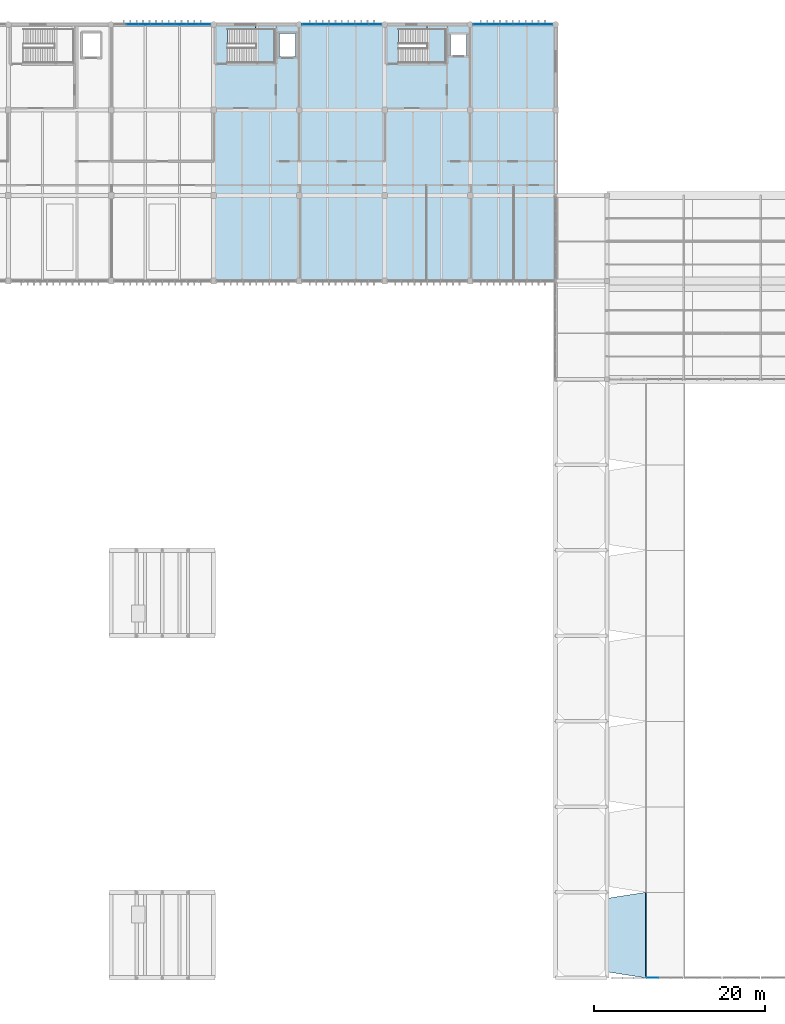
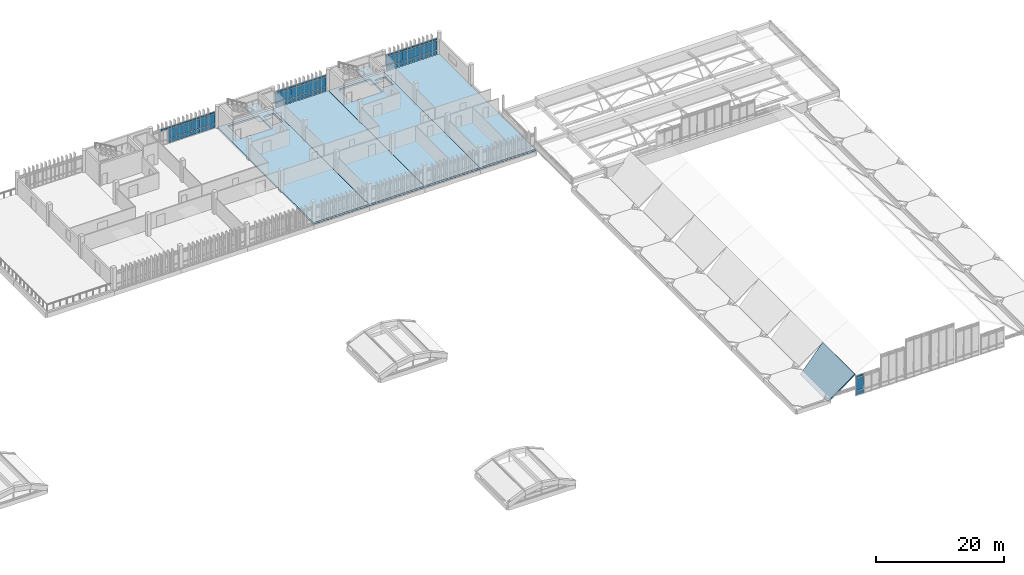
# One storey, part 70 of 82: 58 plates, 7 slabs, 6 elements without a shape of their own.
"""IFC4 building model written with IfcOpenShell, lengths in metres."""

from ifc_helpers import new_model, si_unit, direction, frame, origin, origin_2d, place, context, subcontext, project, spatial, polyline, rectangle, outline, extrude, material, layer, layer_set, type_object, element, aggregate, save


model = new_model("IFC4")

# Units and contexts
model_context = context("Model", 3, precision=1e-05, world=origin(), true_north=direction((0.0, 1.0)))
body_context = subcontext(model_context, "Body", "Model", "MODEL_VIEW")
ifc_project = project(units=[si_unit("LENGTHUNIT", "METRE"), si_unit("AREAUNIT", "SQUARE_METRE"), si_unit("VOLUMEUNIT", "CUBIC_METRE"), si_unit("PLANEANGLEUNIT", "RADIAN"), si_unit("MASSUNIT", "GRAM", prefix="KILO")], contexts=[model_context])

# Site, building, storey
site_placement = place(None, origin())
site = spatial("IfcSite", under=ifc_project, at=site_placement, CompositionType="ELEMENT")
building_placement = place(site_placement, origin())
building = spatial("IfcBuilding", under=site, at=building_placement, Name="Mersad Railyard Sports Hall", CompositionType="ELEMENT")
storey_placement = place(building_placement, frame((0.0, 0.0, 13.199951171875)))
storey = spatial("IfcBuildingStorey", under=building, at=storey_placement, Name="L03", CompositionType="ELEMENT", Elevation=13.199951171875)

# Curtain wall, plates
ifc_material_1 = material(Name="Aluminium 6063-T6", Category="aluminium")
ifc_layer_1 = layer(ifc_material_1, 0.199951171875)
ifc_layer_set_1 = layer_set([ifc_layer_1], Name="Aluminium 6063-T6")
curtain_wall_type_1 = type_object("IfcCurtainWallType", Name="ARC-CW-CW42", PredefinedType="USERDEFINED", material=ifc_layer_set_1)
curtain_wall_1_placement = place(storey_placement, origin())
curtain_wall_1 = element("IfcCurtainWall", 1, at=curtain_wall_1_placement, inside=storey, type_object=curtain_wall_type_1, Name="Curtain wall CW42-0114", ObjectType="CURTAIN WALL", PredefinedType="USERDEFINED")
ifc_material_2 = material(Name="Solar-control glass", Category="glass")
ifc_layer_2 = layer(ifc_material_2, 0.028076171875)
ifc_layer_set_2 = layer_set([ifc_layer_2], Name="Solar-control glass")
plate_type = type_object("IfcPlateType", Name="ARC-CW-PNL01", PredefinedType="CURTAIN_PANEL", material=ifc_layer_set_2)
plate_1_placement = place(storey_placement, frame((142.35009765625, 3.5, -1.1650390625), z_axis=(0.0, 0.0, 1.0), x_axis=(-1.0, 0.0, 0.0)))
plate_1 = element("IfcPlate", 2, at=plate_1_placement, type_object=plate_type, Name="CW42 Glazed panel 3-1", PredefinedType="CURTAIN_PANEL", context=body_context, shape_type="SweptSolid", body=[
    extrude(rectangle(XDim=1.35595703125, YDim=0.028076171875, at=origin_2d()), origin(), (0.0, 0.0, 1.0), 0.719970703125),
])
plate_2_placement = place(storey_placement, frame((142.35009765625, 3.5, -0.35498046875), z_axis=(0.0, 0.0, 1.0), x_axis=(-1.0, 0.0, 0.0)))
plate_2 = element("IfcPlate", 3, at=plate_2_placement, type_object=plate_type, Name="CW42 Glazed panel 3-2", PredefinedType="CURTAIN_PANEL", context=body_context, shape_type="SweptSolid", body=[
    extrude(rectangle(XDim=1.35595703125, YDim=0.028076171875, at=origin_2d()), origin(), (0.0, 0.0, 1.0), 2.39208984375),
])
plate_3_placement = place(storey_placement, frame((142.35009765625, 3.5, 2.126953125), z_axis=(0.0, 0.0, 1.0), x_axis=(-1.0, 0.0, 0.0)))
plate_3 = element("IfcPlate", 4, at=plate_3_placement, type_object=plate_type, Name="CW42 Glazed panel 3-3", PredefinedType="CURTAIN_PANEL", context=body_context, shape_type="SweptSolid", body=[
    extrude(rectangle(XDim=1.35595703125, YDim=0.028076171875, at=origin_2d()), origin(), (0.0, 0.0, 1.0), 0.35009765625),
])
aggregate(curtain_wall_1, [plate_1, plate_2, plate_3])

ifc_layer_3 = layer(ifc_material_1, 0.159912109375)
ifc_layer_set_3 = layer_set([ifc_layer_3], Name="Aluminium 6063-T6")
curtain_wall_type_2 = type_object("IfcCurtainWallType", Name="ARC-CW-CW57", PredefinedType="USERDEFINED", material=ifc_layer_set_3)
curtain_wall_2_placement = place(storey_placement, origin())
curtain_wall_2 = element("IfcCurtainWall", 5, at=curtain_wall_2_placement, inside=storey, type_object=curtain_wall_type_2, Name="Curtain wall CW57-0152", ObjectType="CURTAIN WALL", PredefinedType="USERDEFINED")
plate_4_placement = place(storey_placement, frame((81.481201171875, 115.0, 2.77490234375), z_axis=(0.0, 0.0, 1.0), x_axis=(1.0, 0.0, 0.0)))
plate_4 = element("IfcPlate", 6, at=plate_4_placement, type_object=plate_type, Name="CW57 Glazed panel 2-3", PredefinedType="CURTAIN_PANEL", context=body_context, shape_type="SweptSolid", body=[
    extrude(rectangle(XDim=1.363525390625, YDim=0.028076171875, at=origin_2d()), origin(), (0.0, 0.0, 1.0), 0.35009765625),
])
plate_5_placement = place(storey_placement, frame((82.888671875, 115.0, 0.0849609375), z_axis=(0.0, 0.0, 1.0), x_axis=(1.0, 0.0, 0.0)))
plate_5 = element("IfcPlate", 7, at=plate_5_placement, type_object=plate_type, Name="CW57 Glazed panel 3-1", PredefinedType="CURTAIN_PANEL", context=body_context, shape_type="SweptSolid", body=[
    extrude(rectangle(XDim=1.363525390625, YDim=0.028076171875, at=origin_2d()), origin(), (0.0, 0.0, 1.0), 0.719970703125),
])
plate_6_placement = place(storey_placement, frame((82.888671875, 115.0, 0.89501953125), z_axis=(0.0, 0.0, 1.0), x_axis=(1.0, 0.0, 0.0)))
plate_6 = element("IfcPlate", 8, at=plate_6_placement, type_object=plate_type, Name="CW57 Glazed panel 3-2", PredefinedType="CURTAIN_PANEL", context=body_context, shape_type="SweptSolid", body=[
    extrude(rectangle(XDim=1.363525390625, YDim=0.028076171875, at=origin_2d()), origin(), (0.0, 0.0, 1.0), 1.7900390625),
])
plate_7_placement = place(storey_placement, frame((82.888671875, 115.0, 2.77490234375), z_axis=(0.0, 0.0, 1.0), x_axis=(1.0, 0.0, 0.0)))
plate_7 = element("IfcPlate", 9, at=plate_7_placement, type_object=plate_type, Name="CW57 Glazed panel 3-3", PredefinedType="CURTAIN_PANEL", context=body_context, shape_type="SweptSolid", body=[
    extrude(rectangle(XDim=1.363525390625, YDim=0.028076171875, at=origin_2d()), origin(), (0.0, 0.0, 1.0), 0.35009765625),
])
plate_8_placement = place(storey_placement, frame((84.296142578125, 115.0, 0.0849609375), z_axis=(0.0, 0.0, 1.0), x_axis=(1.0, 0.0, 0.0)))
plate_8 = element("IfcPlate", 10, at=plate_8_placement, type_object=plate_type, Name="CW57 Glazed panel 4-1", PredefinedType="CURTAIN_PANEL", context=body_context, shape_type="SweptSolid", body=[
    extrude(rectangle(XDim=1.363525390625, YDim=0.028076171875, at=origin_2d()), origin(), (0.0, 0.0, 1.0), 0.719970703125),
])
plate_9_placement = place(storey_placement, frame((84.296142578125, 115.0, 0.89501953125), z_axis=(0.0, 0.0, 1.0), x_axis=(1.0, 0.0, 0.0)))
plate_9 = element("IfcPlate", 11, at=plate_9_placement, type_object=plate_type, Name="CW57 Glazed panel 4-2", PredefinedType="CURTAIN_PANEL", context=body_context, shape_type="SweptSolid", body=[
    extrude(rectangle(XDim=1.363525390625, YDim=0.028076171875, at=origin_2d()), origin(), (0.0, 0.0, 1.0), 1.7900390625),
])
plate_10_placement = place(storey_placement, frame((84.296142578125, 115.0, 2.77490234375), z_axis=(0.0, 0.0, 1.0), x_axis=(1.0, 0.0, 0.0)))
plate_10 = element("IfcPlate", 12, at=plate_10_placement, type_object=plate_type, Name="CW57 Glazed panel 4-3", PredefinedType="CURTAIN_PANEL", context=body_context, shape_type="SweptSolid", body=[
    extrude(rectangle(XDim=1.363525390625, YDim=0.028076171875, at=origin_2d()), origin(), (0.0, 0.0, 1.0), 0.35009765625),
])
plate_11_placement = place(storey_placement, frame((85.703857421875, 115.0, 0.0849609375), z_axis=(0.0, 0.0, 1.0), x_axis=(1.0, 0.0, 0.0)))
plate_11 = element("IfcPlate", 13, at=plate_11_placement, type_object=plate_type, Name="CW57 Glazed panel 5-1", PredefinedType="CURTAIN_PANEL", context=body_context, shape_type="SweptSolid", body=[
    extrude(rectangle(XDim=1.363525390625, YDim=0.028076171875, at=origin_2d()), origin(), (0.0, 0.0, 1.0), 0.719970703125),
])
plate_12_placement = place(storey_placement, frame((85.703857421875, 115.0, 0.89501953125), z_axis=(0.0, 0.0, 1.0), x_axis=(1.0, 0.0, 0.0)))
plate_12 = element("IfcPlate", 14, at=plate_12_placement, type_object=plate_type, Name="CW57 Glazed panel 5-2", PredefinedType="CURTAIN_PANEL", context=body_context, shape_type="SweptSolid", body=[
    extrude(rectangle(XDim=1.363525390625, YDim=0.028076171875, at=origin_2d()), origin(), (0.0, 0.0, 1.0), 1.7900390625),
])
plate_13_placement = place(storey_placement, frame((85.703857421875, 115.0, 2.77490234375), z_axis=(0.0, 0.0, 1.0), x_axis=(1.0, 0.0, 0.0)))
plate_13 = element("IfcPlate", 15, at=plate_13_placement, type_object=plate_type, Name="CW57 Glazed panel 5-3", PredefinedType="CURTAIN_PANEL", context=body_context, shape_type="SweptSolid", body=[
    extrude(rectangle(XDim=1.363525390625, YDim=0.028076171875, at=origin_2d()), origin(), (0.0, 0.0, 1.0), 0.35009765625),
])
plate_14_placement = place(storey_placement, frame((87.111328125, 115.0, 0.0849609375), z_axis=(0.0, 0.0, 1.0), x_axis=(1.0, 0.0, 0.0)))
plate_14 = element("IfcPlate", 16, at=plate_14_placement, type_object=plate_type, Name="CW57 Glazed panel 6-1", PredefinedType="CURTAIN_PANEL", context=body_context, shape_type="SweptSolid", body=[
    extrude(rectangle(XDim=1.363525390625, YDim=0.028076171875, at=origin_2d()), origin(), (0.0, 0.0, 1.0), 0.719970703125),
])
plate_15_placement = place(storey_placement, frame((87.111328125, 115.0, 0.89501953125), z_axis=(0.0, 0.0, 1.0), x_axis=(1.0, 0.0, 0.0)))
plate_15 = element("IfcPlate", 17, at=plate_15_placement, type_object=plate_type, Name="CW57 Glazed panel 6-2", PredefinedType="CURTAIN_PANEL", context=body_context, shape_type="SweptSolid", body=[
    extrude(rectangle(XDim=1.363525390625, YDim=0.028076171875, at=origin_2d()), origin(), (0.0, 0.0, 1.0), 1.7900390625),
])
plate_16_placement = place(storey_placement, frame((87.111328125, 115.0, 2.77490234375), z_axis=(0.0, 0.0, 1.0), x_axis=(1.0, 0.0, 0.0)))
plate_16 = element("IfcPlate", 18, at=plate_16_placement, type_object=plate_type, Name="CW57 Glazed panel 6-3", PredefinedType="CURTAIN_PANEL", context=body_context, shape_type="SweptSolid", body=[
    extrude(rectangle(XDim=1.363525390625, YDim=0.028076171875, at=origin_2d()), origin(), (0.0, 0.0, 1.0), 0.35009765625),
])
plate_17_placement = place(storey_placement, frame((88.518798828125, 115.0, 0.0849609375), z_axis=(0.0, 0.0, 1.0), x_axis=(1.0, 0.0, 0.0)))
plate_17 = element("IfcPlate", 19, at=plate_17_placement, type_object=plate_type, Name="CW57 Glazed panel 7-1", PredefinedType="CURTAIN_PANEL", context=body_context, shape_type="SweptSolid", body=[
    extrude(rectangle(XDim=1.363525390625, YDim=0.028076171875, at=origin_2d()), origin(), (0.0, 0.0, 1.0), 0.719970703125),
])
plate_18_placement = place(storey_placement, frame((88.518798828125, 115.0, 0.89501953125), z_axis=(0.0, 0.0, 1.0), x_axis=(1.0, 0.0, 0.0)))
plate_18 = element("IfcPlate", 20, at=plate_18_placement, type_object=plate_type, Name="CW57 Glazed panel 7-2", PredefinedType="CURTAIN_PANEL", context=body_context, shape_type="SweptSolid", body=[
    extrude(rectangle(XDim=1.363525390625, YDim=0.028076171875, at=origin_2d()), origin(), (0.0, 0.0, 1.0), 1.7900390625),
])
plate_19_placement = place(storey_placement, frame((88.518798828125, 115.0, 2.77490234375), z_axis=(0.0, 0.0, 1.0), x_axis=(1.0, 0.0, 0.0)))
plate_19 = element("IfcPlate", 21, at=plate_19_placement, type_object=plate_type, Name="CW57 Glazed panel 7-3", PredefinedType="CURTAIN_PANEL", context=body_context, shape_type="SweptSolid", body=[
    extrude(rectangle(XDim=1.363525390625, YDim=0.028076171875, at=origin_2d()), origin(), (0.0, 0.0, 1.0), 0.35009765625),
])
plate_20_placement = place(storey_placement, frame((89.92626953125, 115.0, 0.0849609375), z_axis=(0.0, 0.0, 1.0), x_axis=(1.0, 0.0, 0.0)))
plate_20 = element("IfcPlate", 22, at=plate_20_placement, type_object=plate_type, Name="CW57 Glazed panel 8-1", PredefinedType="CURTAIN_PANEL", context=body_context, shape_type="SweptSolid", body=[
    extrude(rectangle(XDim=1.363525390625, YDim=0.028076171875, at=origin_2d()), origin(), (0.0, 0.0, 1.0), 0.719970703125),
])
plate_21_placement = place(storey_placement, frame((89.92626953125, 115.0, 0.89501953125), z_axis=(0.0, 0.0, 1.0), x_axis=(1.0, 0.0, 0.0)))
plate_21 = element("IfcPlate", 23, at=plate_21_placement, type_object=plate_type, Name="CW57 Glazed panel 8-2", PredefinedType="CURTAIN_PANEL", context=body_context, shape_type="SweptSolid", body=[
    extrude(rectangle(XDim=1.363525390625, YDim=0.028076171875, at=origin_2d()), origin(), (0.0, 0.0, 1.0), 1.7900390625),
])
plate_22_placement = place(storey_placement, frame((89.92626953125, 115.0, 2.77490234375), z_axis=(0.0, 0.0, 1.0), x_axis=(1.0, 0.0, 0.0)))
plate_22 = element("IfcPlate", 24, at=plate_22_placement, type_object=plate_type, Name="CW57 Glazed panel 8-3", PredefinedType="CURTAIN_PANEL", context=body_context, shape_type="SweptSolid", body=[
    extrude(rectangle(XDim=1.363525390625, YDim=0.028076171875, at=origin_2d()), origin(), (0.0, 0.0, 1.0), 0.35009765625),
])
aggregate(curtain_wall_2, [plate_4, plate_5, plate_6, plate_7, plate_8, plate_9, plate_10, plate_11, plate_12, plate_13, plate_14, plate_15, plate_16, plate_17, plate_18, plate_19, plate_20, plate_21, plate_22])

ifc_layer_4 = layer(ifc_material_1, 0.159912109375)
ifc_layer_set_4 = layer_set([ifc_layer_4], Name="Aluminium 6063-T6")
curtain_wall_type_3 = type_object("IfcCurtainWallType", Name="ARC-CW-CW58", PredefinedType="USERDEFINED", material=ifc_layer_set_4)
curtain_wall_3_placement = place(storey_placement, origin())
curtain_wall_3 = element("IfcCurtainWall", 25, at=curtain_wall_3_placement, inside=storey, type_object=curtain_wall_type_3, Name="Curtain wall CW58-0153", ObjectType="CURTAIN WALL", PredefinedType="USERDEFINED")
plate_23_placement = place(storey_placement, frame((102.1416015625, 115.0, 0.0849609375), z_axis=(0.0, 0.0, 1.0), x_axis=(1.0, 0.0, 0.0)))
plate_23 = element("IfcPlate", 26, at=plate_23_placement, type_object=plate_type, Name="CW58 Glazed panel 1-1", PredefinedType="CURTAIN_PANEL", context=body_context, shape_type="SweptSolid", body=[
    extrude(rectangle(XDim=1.499267578125, YDim=0.028076171875, at=origin_2d()), origin(), (0.0, 0.0, 1.0), 0.719970703125),
])
plate_24_placement = place(storey_placement, frame((102.1416015625, 115.0, 0.89501953125), z_axis=(0.0, 0.0, 1.0), x_axis=(1.0, 0.0, 0.0)))
plate_24 = element("IfcPlate", 27, at=plate_24_placement, type_object=plate_type, Name="CW58 Glazed panel 1-2", PredefinedType="CURTAIN_PANEL", context=body_context, shape_type="SweptSolid", body=[
    extrude(rectangle(XDim=1.499267578125, YDim=0.028076171875, at=origin_2d()), origin(), (0.0, 0.0, 1.0), 1.7900390625),
])
plate_25_placement = place(storey_placement, frame((102.1416015625, 115.0, 2.77490234375), z_axis=(0.0, 0.0, 1.0), x_axis=(1.0, 0.0, 0.0)))
plate_25 = element("IfcPlate", 28, at=plate_25_placement, type_object=plate_type, Name="CW58 Glazed panel 1-3", PredefinedType="CURTAIN_PANEL", context=body_context, shape_type="SweptSolid", body=[
    extrude(rectangle(XDim=1.499267578125, YDim=0.028076171875, at=origin_2d()), origin(), (0.0, 0.0, 1.0), 0.35009765625),
])
plate_26_placement = place(storey_placement, frame((103.68505859375, 115.0, 0.0849609375), z_axis=(0.0, 0.0, 1.0), x_axis=(1.0, 0.0, 0.0)))
plate_26 = element("IfcPlate", 29, at=plate_26_placement, type_object=plate_type, Name="CW58 Glazed panel 2-1", PredefinedType="CURTAIN_PANEL", context=body_context, shape_type="SweptSolid", body=[
    extrude(rectangle(XDim=1.499267578125, YDim=0.028076171875, at=origin_2d()), origin(), (0.0, 0.0, 1.0), 0.719970703125),
])
plate_27_placement = place(storey_placement, frame((103.68505859375, 115.0, 0.89501953125), z_axis=(0.0, 0.0, 1.0), x_axis=(1.0, 0.0, 0.0)))
plate_27 = element("IfcPlate", 30, at=plate_27_placement, type_object=plate_type, Name="CW58 Glazed panel 2-2", PredefinedType="CURTAIN_PANEL", context=body_context, shape_type="SweptSolid", body=[
    extrude(rectangle(XDim=1.499267578125, YDim=0.028076171875, at=origin_2d()), origin(), (0.0, 0.0, 1.0), 1.7900390625),
])
plate_28_placement = place(storey_placement, frame((103.68505859375, 115.0, 2.77490234375), z_axis=(0.0, 0.0, 1.0), x_axis=(1.0, 0.0, 0.0)))
plate_28 = element("IfcPlate", 31, at=plate_28_placement, type_object=plate_type, Name="CW58 Glazed panel 2-3", PredefinedType="CURTAIN_PANEL", context=body_context, shape_type="SweptSolid", body=[
    extrude(rectangle(XDim=1.499267578125, YDim=0.028076171875, at=origin_2d()), origin(), (0.0, 0.0, 1.0), 0.35009765625),
])
plate_29_placement = place(storey_placement, frame((105.228271484375, 115.0, 0.0849609375), z_axis=(0.0, 0.0, 1.0), x_axis=(1.0, 0.0, 0.0)))
plate_29 = element("IfcPlate", 32, at=plate_29_placement, type_object=plate_type, Name="CW58 Glazed panel 3-1", PredefinedType="CURTAIN_PANEL", context=body_context, shape_type="SweptSolid", body=[
    extrude(rectangle(XDim=1.499267578125, YDim=0.028076171875, at=origin_2d()), origin(), (0.0, 0.0, 1.0), 0.719970703125),
])
plate_30_placement = place(storey_placement, frame((105.228271484375, 115.0, 0.89501953125), z_axis=(0.0, 0.0, 1.0), x_axis=(1.0, 0.0, 0.0)))
plate_30 = element("IfcPlate", 33, at=plate_30_placement, type_object=plate_type, Name="CW58 Glazed panel 3-2", PredefinedType="CURTAIN_PANEL", context=body_context, shape_type="SweptSolid", body=[
    extrude(rectangle(XDim=1.499267578125, YDim=0.028076171875, at=origin_2d()), origin(), (0.0, 0.0, 1.0), 1.7900390625),
])
plate_31_placement = place(storey_placement, frame((105.228271484375, 115.0, 2.77490234375), z_axis=(0.0, 0.0, 1.0), x_axis=(1.0, 0.0, 0.0)))
plate_31 = element("IfcPlate", 34, at=plate_31_placement, type_object=plate_type, Name="CW58 Glazed panel 3-3", PredefinedType="CURTAIN_PANEL", context=body_context, shape_type="SweptSolid", body=[
    extrude(rectangle(XDim=1.499267578125, YDim=0.028076171875, at=origin_2d()), origin(), (0.0, 0.0, 1.0), 0.35009765625),
])
plate_32_placement = place(storey_placement, frame((106.771728515625, 115.0, 0.0849609375), z_axis=(0.0, 0.0, 1.0), x_axis=(1.0, 0.0, 0.0)))
plate_32 = element("IfcPlate", 35, at=plate_32_placement, type_object=plate_type, Name="CW58 Glazed panel 4-1", PredefinedType="CURTAIN_PANEL", context=body_context, shape_type="SweptSolid", body=[
    extrude(rectangle(XDim=1.499267578125, YDim=0.028076171875, at=origin_2d()), origin(), (0.0, 0.0, 1.0), 0.719970703125),
])
plate_33_placement = place(storey_placement, frame((106.771728515625, 115.0, 0.89501953125), z_axis=(0.0, 0.0, 1.0), x_axis=(1.0, 0.0, 0.0)))
plate_33 = element("IfcPlate", 36, at=plate_33_placement, type_object=plate_type, Name="CW58 Glazed panel 4-2", PredefinedType="CURTAIN_PANEL", context=body_context, shape_type="SweptSolid", body=[
    extrude(rectangle(XDim=1.499267578125, YDim=0.028076171875, at=origin_2d()), origin(), (0.0, 0.0, 1.0), 1.7900390625),
])
plate_34_placement = place(storey_placement, frame((106.771728515625, 115.0, 2.77490234375), z_axis=(0.0, 0.0, 1.0), x_axis=(1.0, 0.0, 0.0)))
plate_34 = element("IfcPlate", 37, at=plate_34_placement, type_object=plate_type, Name="CW58 Glazed panel 4-3", PredefinedType="CURTAIN_PANEL", context=body_context, shape_type="SweptSolid", body=[
    extrude(rectangle(XDim=1.499267578125, YDim=0.028076171875, at=origin_2d()), origin(), (0.0, 0.0, 1.0), 0.35009765625),
])
plate_35_placement = place(storey_placement, frame((108.31494140625, 115.0, 0.0849609375), z_axis=(0.0, 0.0, 1.0), x_axis=(1.0, 0.0, 0.0)))
plate_35 = element("IfcPlate", 38, at=plate_35_placement, type_object=plate_type, Name="CW58 Glazed panel 5-1", PredefinedType="CURTAIN_PANEL", context=body_context, shape_type="SweptSolid", body=[
    extrude(rectangle(XDim=1.499267578125, YDim=0.028076171875, at=origin_2d()), origin(), (0.0, 0.0, 1.0), 0.719970703125),
])
plate_36_placement = place(storey_placement, frame((108.31494140625, 115.0, 0.89501953125), z_axis=(0.0, 0.0, 1.0), x_axis=(1.0, 0.0, 0.0)))
plate_36 = element("IfcPlate", 39, at=plate_36_placement, type_object=plate_type, Name="CW58 Glazed panel 5-2", PredefinedType="CURTAIN_PANEL", context=body_context, shape_type="SweptSolid", body=[
    extrude(rectangle(XDim=1.499267578125, YDim=0.028076171875, at=origin_2d()), origin(), (0.0, 0.0, 1.0), 1.7900390625),
])
plate_37_placement = place(storey_placement, frame((108.31494140625, 115.0, 2.77490234375), z_axis=(0.0, 0.0, 1.0), x_axis=(1.0, 0.0, 0.0)))
plate_37 = element("IfcPlate", 40, at=plate_37_placement, type_object=plate_type, Name="CW58 Glazed panel 5-3", PredefinedType="CURTAIN_PANEL", context=body_context, shape_type="SweptSolid", body=[
    extrude(rectangle(XDim=1.499267578125, YDim=0.028076171875, at=origin_2d()), origin(), (0.0, 0.0, 1.0), 0.35009765625),
])
plate_38_placement = place(storey_placement, frame((109.8583984375, 115.0, 0.0849609375), z_axis=(0.0, 0.0, 1.0), x_axis=(1.0, 0.0, 0.0)))
plate_38 = element("IfcPlate", 41, at=plate_38_placement, type_object=plate_type, Name="CW58 Glazed panel 6-1", PredefinedType="CURTAIN_PANEL", context=body_context, shape_type="SweptSolid", body=[
    extrude(rectangle(XDim=1.499267578125, YDim=0.028076171875, at=origin_2d()), origin(), (0.0, 0.0, 1.0), 0.719970703125),
])
plate_39_placement = place(storey_placement, frame((109.8583984375, 115.0, 0.89501953125), z_axis=(0.0, 0.0, 1.0), x_axis=(1.0, 0.0, 0.0)))
plate_39 = element("IfcPlate", 42, at=plate_39_placement, type_object=plate_type, Name="CW58 Glazed panel 6-2", PredefinedType="CURTAIN_PANEL", context=body_context, shape_type="SweptSolid", body=[
    extrude(rectangle(XDim=1.499267578125, YDim=0.028076171875, at=origin_2d()), origin(), (0.0, 0.0, 1.0), 1.7900390625),
])
plate_40_placement = place(storey_placement, frame((109.8583984375, 115.0, 2.77490234375), z_axis=(0.0, 0.0, 1.0), x_axis=(1.0, 0.0, 0.0)))
plate_40 = element("IfcPlate", 43, at=plate_40_placement, type_object=plate_type, Name="CW58 Glazed panel 6-3", PredefinedType="CURTAIN_PANEL", context=body_context, shape_type="SweptSolid", body=[
    extrude(rectangle(XDim=1.499267578125, YDim=0.028076171875, at=origin_2d()), origin(), (0.0, 0.0, 1.0), 0.35009765625),
])
aggregate(curtain_wall_3, [plate_23, plate_24, plate_25, plate_26, plate_27, plate_28, plate_29, plate_30, plate_31, plate_32, plate_33, plate_34, plate_35, plate_36, plate_37, plate_38, plate_39, plate_40])

curtain_wall_4_placement = place(storey_placement, origin())
curtain_wall_4 = element("IfcCurtainWall", 44, at=curtain_wall_4_placement, inside=storey, type_object=curtain_wall_type_3, Name="Curtain wall CW58-0154", ObjectType="CURTAIN WALL", PredefinedType="USERDEFINED")
plate_41_placement = place(storey_placement, frame((122.1416015625, 115.0, 0.0849609375), z_axis=(0.0, 0.0, 1.0), x_axis=(1.0, 0.0, 0.0)))
plate_41 = element("IfcPlate", 45, at=plate_41_placement, type_object=plate_type, Name="CW58 Glazed panel 1-1", PredefinedType="CURTAIN_PANEL", context=body_context, shape_type="SweptSolid", body=[
    extrude(rectangle(XDim=1.499267578125, YDim=0.028076171875, at=origin_2d()), origin(), (0.0, 0.0, 1.0), 0.719970703125),
])
plate_42_placement = place(storey_placement, frame((122.1416015625, 115.0, 0.89501953125), z_axis=(0.0, 0.0, 1.0), x_axis=(1.0, 0.0, 0.0)))
plate_42 = element("IfcPlate", 46, at=plate_42_placement, type_object=plate_type, Name="CW58 Glazed panel 1-2", PredefinedType="CURTAIN_PANEL", context=body_context, shape_type="SweptSolid", body=[
    extrude(rectangle(XDim=1.499267578125, YDim=0.028076171875, at=origin_2d()), origin(), (0.0, 0.0, 1.0), 1.7900390625),
])
plate_43_placement = place(storey_placement, frame((122.1416015625, 115.0, 2.77490234375), z_axis=(0.0, 0.0, 1.0), x_axis=(1.0, 0.0, 0.0)))
plate_43 = element("IfcPlate", 47, at=plate_43_placement, type_object=plate_type, Name="CW58 Glazed panel 1-3", PredefinedType="CURTAIN_PANEL", context=body_context, shape_type="SweptSolid", body=[
    extrude(rectangle(XDim=1.499267578125, YDim=0.028076171875, at=origin_2d()), origin(), (0.0, 0.0, 1.0), 0.35009765625),
])
plate_44_placement = place(storey_placement, frame((123.68505859375, 115.0, 0.0849609375), z_axis=(0.0, 0.0, 1.0), x_axis=(1.0, 0.0, 0.0)))
plate_44 = element("IfcPlate", 48, at=plate_44_placement, type_object=plate_type, Name="CW58 Glazed panel 2-1", PredefinedType="CURTAIN_PANEL", context=body_context, shape_type="SweptSolid", body=[
    extrude(rectangle(XDim=1.499267578125, YDim=0.028076171875, at=origin_2d()), origin(), (0.0, 0.0, 1.0), 0.719970703125),
])
plate_45_placement = place(storey_placement, frame((123.68505859375, 115.0, 0.89501953125), z_axis=(0.0, 0.0, 1.0), x_axis=(1.0, 0.0, 0.0)))
plate_45 = element("IfcPlate", 49, at=plate_45_placement, type_object=plate_type, Name="CW58 Glazed panel 2-2", PredefinedType="CURTAIN_PANEL", context=body_context, shape_type="SweptSolid", body=[
    extrude(rectangle(XDim=1.499267578125, YDim=0.028076171875, at=origin_2d()), origin(), (0.0, 0.0, 1.0), 1.7900390625),
])
plate_46_placement = place(storey_placement, frame((123.68505859375, 115.0, 2.77490234375), z_axis=(0.0, 0.0, 1.0), x_axis=(1.0, 0.0, 0.0)))
plate_46 = element("IfcPlate", 50, at=plate_46_placement, type_object=plate_type, Name="CW58 Glazed panel 2-3", PredefinedType="CURTAIN_PANEL", context=body_context, shape_type="SweptSolid", body=[
    extrude(rectangle(XDim=1.499267578125, YDim=0.028076171875, at=origin_2d()), origin(), (0.0, 0.0, 1.0), 0.35009765625),
])
plate_47_placement = place(storey_placement, frame((125.228271484375, 115.0, 0.0849609375), z_axis=(0.0, 0.0, 1.0), x_axis=(1.0, 0.0, 0.0)))
plate_47 = element("IfcPlate", 51, at=plate_47_placement, type_object=plate_type, Name="CW58 Glazed panel 3-1", PredefinedType="CURTAIN_PANEL", context=body_context, shape_type="SweptSolid", body=[
    extrude(rectangle(XDim=1.499267578125, YDim=0.028076171875, at=origin_2d()), origin(), (0.0, 0.0, 1.0), 0.719970703125),
])
plate_48_placement = place(storey_placement, frame((125.228271484375, 115.0, 0.89501953125), z_axis=(0.0, 0.0, 1.0), x_axis=(1.0, 0.0, 0.0)))
plate_48 = element("IfcPlate", 52, at=plate_48_placement, type_object=plate_type, Name="CW58 Glazed panel 3-2", PredefinedType="CURTAIN_PANEL", context=body_context, shape_type="SweptSolid", body=[
    extrude(rectangle(XDim=1.499267578125, YDim=0.028076171875, at=origin_2d()), origin(), (0.0, 0.0, 1.0), 1.7900390625),
])
plate_49_placement = place(storey_placement, frame((125.228271484375, 115.0, 2.77490234375), z_axis=(0.0, 0.0, 1.0), x_axis=(1.0, 0.0, 0.0)))
plate_49 = element("IfcPlate", 53, at=plate_49_placement, type_object=plate_type, Name="CW58 Glazed panel 3-3", PredefinedType="CURTAIN_PANEL", context=body_context, shape_type="SweptSolid", body=[
    extrude(rectangle(XDim=1.499267578125, YDim=0.028076171875, at=origin_2d()), origin(), (0.0, 0.0, 1.0), 0.35009765625),
])
plate_50_placement = place(storey_placement, frame((126.771728515625, 115.0, 0.0849609375), z_axis=(0.0, 0.0, 1.0), x_axis=(1.0, 0.0, 0.0)))
plate_50 = element("IfcPlate", 54, at=plate_50_placement, type_object=plate_type, Name="CW58 Glazed panel 4-1", PredefinedType="CURTAIN_PANEL", context=body_context, shape_type="SweptSolid", body=[
    extrude(rectangle(XDim=1.499267578125, YDim=0.028076171875, at=origin_2d()), origin(), (0.0, 0.0, 1.0), 0.719970703125),
])
plate_51_placement = place(storey_placement, frame((126.771728515625, 115.0, 0.89501953125), z_axis=(0.0, 0.0, 1.0), x_axis=(1.0, 0.0, 0.0)))
plate_51 = element("IfcPlate", 55, at=plate_51_placement, type_object=plate_type, Name="CW58 Glazed panel 4-2", PredefinedType="CURTAIN_PANEL", context=body_context, shape_type="SweptSolid", body=[
    extrude(rectangle(XDim=1.499267578125, YDim=0.028076171875, at=origin_2d()), origin(), (0.0, 0.0, 1.0), 1.7900390625),
])
plate_52_placement = place(storey_placement, frame((126.771728515625, 115.0, 2.77490234375), z_axis=(0.0, 0.0, 1.0), x_axis=(1.0, 0.0, 0.0)))
plate_52 = element("IfcPlate", 56, at=plate_52_placement, type_object=plate_type, Name="CW58 Glazed panel 4-3", PredefinedType="CURTAIN_PANEL", context=body_context, shape_type="SweptSolid", body=[
    extrude(rectangle(XDim=1.499267578125, YDim=0.028076171875, at=origin_2d()), origin(), (0.0, 0.0, 1.0), 0.35009765625),
])
plate_53_placement = place(storey_placement, frame((128.31494140625, 115.0, 0.0849609375), z_axis=(0.0, 0.0, 1.0), x_axis=(1.0, 0.0, 0.0)))
plate_53 = element("IfcPlate", 57, at=plate_53_placement, type_object=plate_type, Name="CW58 Glazed panel 5-1", PredefinedType="CURTAIN_PANEL", context=body_context, shape_type="SweptSolid", body=[
    extrude(rectangle(XDim=1.499267578125, YDim=0.028076171875, at=origin_2d()), origin(), (0.0, 0.0, 1.0), 0.719970703125),
])
plate_54_placement = place(storey_placement, frame((128.31494140625, 115.0, 0.89501953125), z_axis=(0.0, 0.0, 1.0), x_axis=(1.0, 0.0, 0.0)))
plate_54 = element("IfcPlate", 58, at=plate_54_placement, type_object=plate_type, Name="CW58 Glazed panel 5-2", PredefinedType="CURTAIN_PANEL", context=body_context, shape_type="SweptSolid", body=[
    extrude(rectangle(XDim=1.499267578125, YDim=0.028076171875, at=origin_2d()), origin(), (0.0, 0.0, 1.0), 1.7900390625),
])
plate_55_placement = place(storey_placement, frame((128.31494140625, 115.0, 2.77490234375), z_axis=(0.0, 0.0, 1.0), x_axis=(1.0, 0.0, 0.0)))
plate_55 = element("IfcPlate", 59, at=plate_55_placement, type_object=plate_type, Name="CW58 Glazed panel 5-3", PredefinedType="CURTAIN_PANEL", context=body_context, shape_type="SweptSolid", body=[
    extrude(rectangle(XDim=1.499267578125, YDim=0.028076171875, at=origin_2d()), origin(), (0.0, 0.0, 1.0), 0.35009765625),
])
plate_56_placement = place(storey_placement, frame((129.8583984375, 115.0, 0.0849609375), z_axis=(0.0, 0.0, 1.0), x_axis=(1.0, 0.0, 0.0)))
plate_56 = element("IfcPlate", 60, at=plate_56_placement, type_object=plate_type, Name="CW58 Glazed panel 6-1", PredefinedType="CURTAIN_PANEL", context=body_context, shape_type="SweptSolid", body=[
    extrude(rectangle(XDim=1.499267578125, YDim=0.028076171875, at=origin_2d()), origin(), (0.0, 0.0, 1.0), 0.719970703125),
])
plate_57_placement = place(storey_placement, frame((129.8583984375, 115.0, 0.89501953125), z_axis=(0.0, 0.0, 1.0), x_axis=(1.0, 0.0, 0.0)))
plate_57 = element("IfcPlate", 61, at=plate_57_placement, type_object=plate_type, Name="CW58 Glazed panel 6-2", PredefinedType="CURTAIN_PANEL", context=body_context, shape_type="SweptSolid", body=[
    extrude(rectangle(XDim=1.499267578125, YDim=0.028076171875, at=origin_2d()), origin(), (0.0, 0.0, 1.0), 1.7900390625),
])
plate_58_placement = place(storey_placement, frame((129.8583984375, 115.0, 2.77490234375), z_axis=(0.0, 0.0, 1.0), x_axis=(1.0, 0.0, 0.0)))
plate_58 = element("IfcPlate", 62, at=plate_58_placement, type_object=plate_type, Name="CW58 Glazed panel 6-3", PredefinedType="CURTAIN_PANEL", context=body_context, shape_type="SweptSolid", body=[
    extrude(rectangle(XDim=1.499267578125, YDim=0.028076171875, at=origin_2d()), origin(), (0.0, 0.0, 1.0), 0.35009765625),
])
aggregate(curtain_wall_4, [plate_41, plate_42, plate_43, plate_44, plate_45, plate_46, plate_47, plate_48, plate_49, plate_50, plate_51, plate_52, plate_53, plate_54, plate_55, plate_56, plate_57, plate_58])

# Slabs
ifc_material_3 = material(Name="Concrete C40/50", Category="concrete")
ifc_layer_5 = layer(ifc_material_3, 0.320068359375)
ifc_layer_set_5 = layer_set([ifc_layer_5], Name="Concrete C40/50")
slab_type_1 = type_object("IfcSlabType", Name="STR-SL-FL04", PredefinedType="FLOOR", material=ifc_layer_set_5)
slab_1_placement = place(storey_placement, frame((0.0, 0.0, -0.320068359375)))
element("IfcSlab", 63, at=slab_1_placement, inside=storey, type_object=slab_type_1, Name="Slab SL04-0116", PredefinedType="FLOOR", context=body_context, shape_type="SweptSolid", body=[
    extrude(outline(polyline([(91.0, 85.0), (101.0, 85.0), (101.0, 115.0), (91.0, 115.0), (91.0, 85.0)]), holes=[polyline([(92.639892578125, 110.5), (98.199951171875, 110.5), (98.199951171875, 114.5), (92.639892578125, 114.5), (92.639892578125, 110.5)]), polyline([(98.699951171875, 111.25), (100.60009765625, 111.25), (100.60009765625, 113.949951171875), (98.699951171875, 113.949951171875), (98.699951171875, 111.25)])]), origin(), (0.0, 0.0, 1.0), 0.320068359375),
])
slab_2_placement = place(storey_placement, frame((0.0, 0.0, -0.320068359375)))
element("IfcSlab", 64, at=slab_2_placement, inside=storey, type_object=slab_type_1, Name="Slab SL04-0117", PredefinedType="FLOOR", context=body_context, shape_type="SweptSolid", body=[
    extrude(outline(polyline([(101.0, 85.0), (111.0, 85.0), (111.0, 115.0), (101.0, 115.0), (101.0, 85.0)])), origin(), (0.0, 0.0, 1.0), 0.320068359375),
])
slab_3_placement = place(storey_placement, frame((0.0, 0.0, -0.320068359375)))
element("IfcSlab", 65, at=slab_3_placement, inside=storey, type_object=slab_type_1, Name="Slab SL04-0118", PredefinedType="FLOOR", context=body_context, shape_type="SweptSolid", body=[
    extrude(outline(polyline([(111.0, 85.0), (121.0, 85.0), (121.0, 115.0), (111.0, 115.0), (111.0, 85.0)]), holes=[polyline([(112.639892578125, 110.5), (118.199951171875, 110.5), (118.199951171875, 114.5), (112.639892578125, 114.5), (112.639892578125, 110.5)]), polyline([(118.699951171875, 111.39990234375), (120.60009765625, 111.39990234375), (120.60009765625, 113.800048828125), (118.699951171875, 113.800048828125), (118.699951171875, 111.39990234375)])]), origin(), (0.0, 0.0, 1.0), 0.320068359375),
])
slab_4_placement = place(storey_placement, frame((0.0, 0.0, -0.320068359375)))
element("IfcSlab", 66, at=slab_4_placement, inside=storey, type_object=slab_type_1, Name="Slab SL04-0119", PredefinedType="FLOOR", context=body_context, shape_type="SweptSolid", body=[
    extrude(outline(polyline([(121.0, 85.0), (131.0, 85.0), (131.0, 115.0), (121.0, 115.0), (121.0, 85.0)])), origin(), (0.0, 0.0, 1.0), 0.320068359375),
])

# Stair, slab
stair_type_1 = type_object("IfcStairType", Name="ARC-ST-ST02E", PredefinedType="HALF_TURN_STAIR", material=ifc_material_3)
stair_1_placement = place(storey_placement, origin())
stair_1 = element("IfcStair", 67, at=stair_1_placement, inside=storey, type_object=stair_type_1, Name="Core C2 Exit Stair L03-L04", PredefinedType="HALF_TURN_STAIR")
ifc_layer_6 = layer(ifc_material_3, 0.179931640625)
ifc_layer_set_6 = layer_set([ifc_layer_6], Name="Concrete C40/50")
slab_type_2 = type_object("IfcSlabType", Name="STR-SL-LD01", PredefinedType="LANDING", material=ifc_layer_set_6)
slab_5_placement = place(storey_placement, frame((0.0, 0.0, 1.920166015625)))
slab_5 = element("IfcSlab", 68, at=slab_5_placement, type_object=slab_type_2, Name="Core C2 Exit Stair L03-L04 Half Landing", PredefinedType="LANDING", context=body_context, shape_type="SweptSolid", body=[
    extrude(outline(polyline([(95.924072265625, 110.3798828125), (98.320068359375, 110.3798828125), (98.320068359375, 115.050048828125), (95.924072265625, 115.050048828125), (95.924072265625, 110.3798828125)])), origin(), (0.0, 0.0, 1.0), 0.179931640625),
])
aggregate(stair_1, [slab_5])

stair_type_2 = type_object("IfcStairType", Name="ARC-ST-ST03E", PredefinedType="HALF_TURN_STAIR", material=ifc_material_3)
stair_2_placement = place(storey_placement, origin())
stair_2 = element("IfcStair", 69, at=stair_2_placement, inside=storey, type_object=stair_type_2, Name="Core C3 Exit Stair L03-L04", PredefinedType="HALF_TURN_STAIR")
slab_6_placement = place(storey_placement, frame((0.0, 0.0, 1.920166015625)))
slab_6 = element("IfcSlab", 70, at=slab_6_placement, type_object=slab_type_2, Name="Core C3 Exit Stair L03-L04 Half Landing", PredefinedType="LANDING", context=body_context, shape_type="SweptSolid", body=[
    extrude(outline(polyline([(115.947998046875, 110.3798828125), (118.320068359375, 110.3798828125), (118.320068359375, 115.050048828125), (115.947998046875, 115.050048828125), (115.947998046875, 110.3798828125)])), origin(), (0.0, 0.0, 1.0), 0.179931640625),
])
aggregate(stair_2, [slab_6])

# Slab
ifc_material_4 = material(Name="Architectural concrete C50/60", Category="concrete")
ifc_layer_7 = layer(ifc_material_4, 0.219970703125)
ifc_layer_set_7 = layer_set([ifc_layer_7], Name="Architectural concrete C50/60")
slab_type_3 = type_object("IfcSlabType", Name="STR-SL-RF01", PredefinedType="ROOF", material=ifc_layer_set_7)
slab_7_placement = place(storey_placement, frame((137.0, 4.199951171875, -1.199951171875), z_axis=(-0.676375800425, 0.0, 0.736556702909), x_axis=(0.731769859569, -0.113822926833, 0.671980069611)))
element("IfcSlab", 71, at=slab_7_placement, inside=storey, type_object=slab_type_3, Name="Barrel vault shell slab bay 1 seg 1", PredefinedType="ROOF", context=body_context, shape_type="SweptSolid", body=[
    extrude(outline(polyline([(0.0, 0.0), (6.1494743752516765, -5.551115123125783e-17), (5.0112451069227815, 9.935010525043218), (-0.9788882862830478, 8.544206073124325), (0.0, 0.0)])), origin(), (0.0, 0.0, -1.0), 0.219970703125),
])

save(model, "model.ifc")
